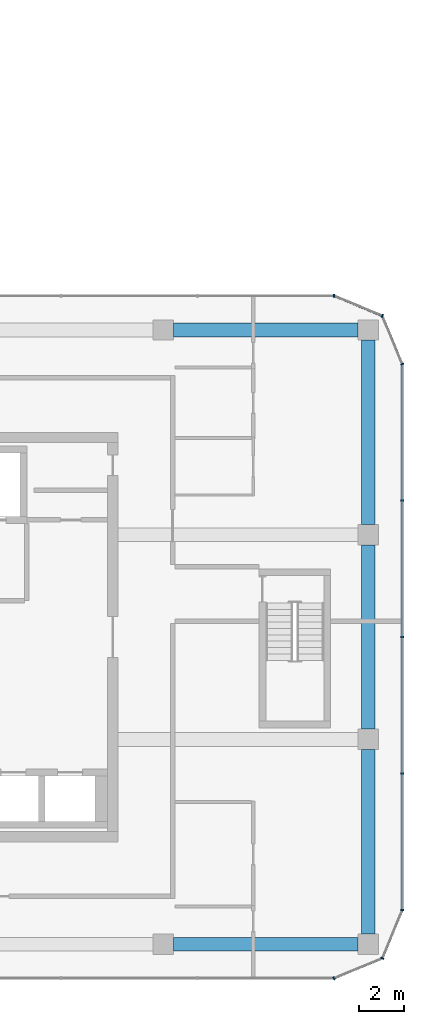
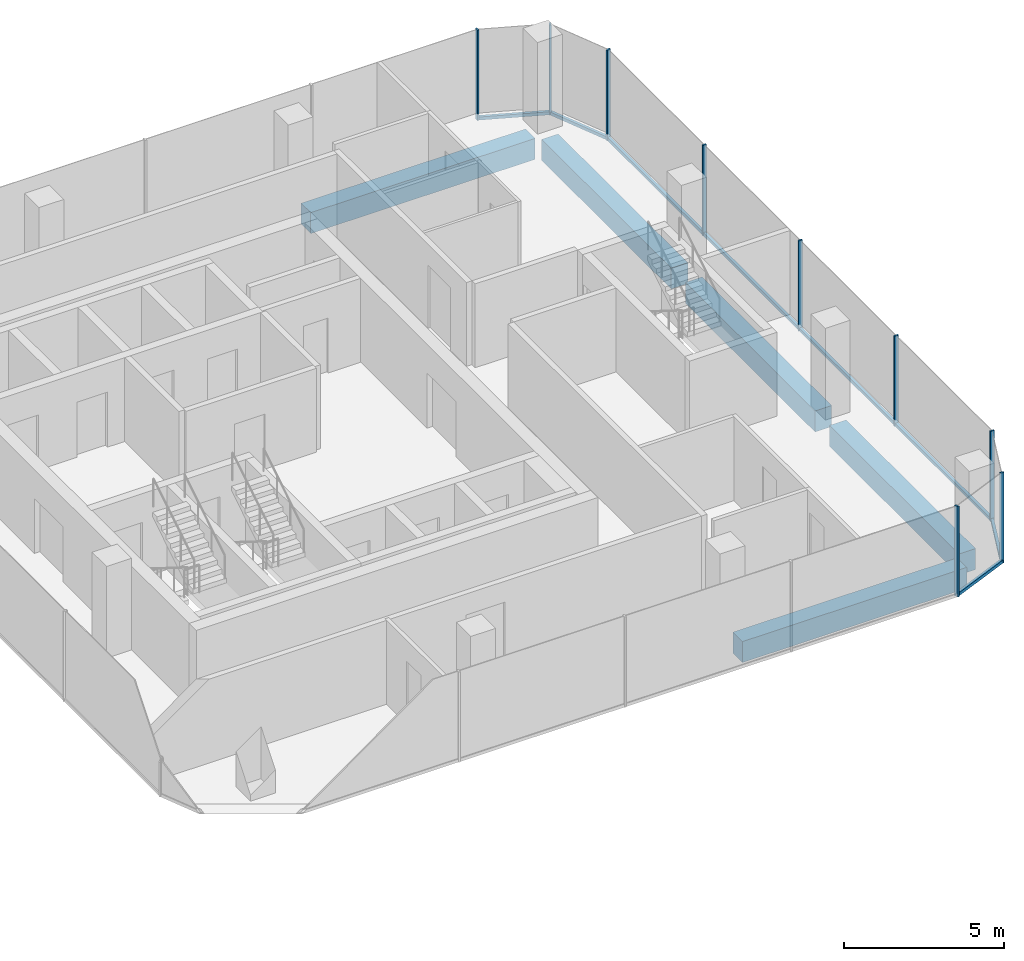
# One storey, part 10 of 22: 14 members, 5 beams, 6 elements without a shape of their own.
"""IFC4 building model written with IfcOpenShell, lengths in metres."""

from ifc_helpers import new_model, si_unit, direction, frame, origin, origin_2d, place, context, subcontext, project, spatial, rectangle, extrude, material, layer, layer_set, material_profile, profile_set, type_object, element, aggregate, save


model = new_model("IFC4")

# Units and contexts
model_context = context("Model", 3, precision=1e-05, world=origin(), true_north=direction((0.0, 1.0)))
body_context = subcontext(model_context, "Body", "Model", "MODEL_VIEW")
ifc_project = project(units=[si_unit("LENGTHUNIT", "METRE"), si_unit("AREAUNIT", "SQUARE_METRE"), si_unit("VOLUMEUNIT", "CUBIC_METRE"), si_unit("PLANEANGLEUNIT", "RADIAN"), si_unit("MASSUNIT", "GRAM", prefix="KILO")], contexts=[model_context])

# Site, building, storey
site_placement = place(None, origin())
site = spatial("IfcSite", under=ifc_project, at=site_placement, CompositionType="ELEMENT")
building_placement = place(site_placement, origin())
building = spatial("IfcBuilding", under=site, at=building_placement, Name="Plateau Cross Towers", CompositionType="ELEMENT")
storey_placement = place(building_placement, frame((0.0, 0.0, 68.800048828125)))
storey = spatial("IfcBuildingStorey", under=building, at=storey_placement, Name="L17", CompositionType="ELEMENT", Elevation=68.800048828125)

# Curtain wall, member
ifc_material_1 = material(Name="Dark low-iron glass", Category="glass")
ifc_layer = layer(ifc_material_1, 0.239990234375)
ifc_layer_set = layer_set([ifc_layer], Name="Dark low-iron glass")
curtain_wall_type = type_object("IfcCurtainWallType", Name="Curtain wall office unitised CW-F", PredefinedType="NOTDEFINED", material=ifc_layer_set)
curtain_wall_1_placement = place(storey_placement, origin())
curtain_wall_1 = element("IfcCurtainWall", 1, at=curtain_wall_1_placement, inside=storey, type_object=curtain_wall_type, Name="ENV/B/L17/B990_-60", PredefinedType="NOTDEFINED")
ifc_material_2 = material(Name="Black anodised aluminium", Category="aluminium")
ifc_material_profile_1 = material_profile(ifc_material_2, rectangle(XDim=0.06005859375, YDim=0.139892578125, at=origin_2d()), Name="MULLION 60x140")
ifc_profile_set_1 = profile_set([ifc_material_profile_1], Name="Black anodised aluminium")
member_type_1 = type_object("IfcMemberType", Name="Mullion 60x140 office unitised", PredefinedType="MULLION", material=ifc_profile_set_1)
member_1_placement = place(storey_placement, frame((99.0, -6.0, -0.25), z_axis=(0.0, 0.0, 1.0), x_axis=(0.923879457699, 0.382683612978, 0.0)))
member_1 = element("IfcMember", 2, at=member_1_placement, type_object=member_type_1, Name="CW-F mullion 1", PredefinedType="MULLION", context=body_context, shape_type="SweptSolid", body=[
    extrude(rectangle(XDim=0.06005859375, YDim=0.139892578125, at=origin_2d()), origin(), (0.0, 0.0, 1.0), 3.449951171875),
])

curtain_wall_2_placement = place(storey_placement, origin())
curtain_wall_2 = element("IfcCurtainWall", 3, at=curtain_wall_2_placement, inside=storey, type_object=curtain_wall_type, Name="ENV/B/L17/B1011_-51", PredefinedType="NOTDEFINED")
member_2_placement = place(storey_placement, frame((101.121337890625, -5.121337890625, -0.25), z_axis=(0.0, 0.0, 1.0), x_axis=(0.382683612978, 0.923879457699, 0.0)))
member_2 = element("IfcMember", 4, at=member_2_placement, type_object=member_type_1, Name="CW-F mullion 1", PredefinedType="MULLION", context=body_context, shape_type="SweptSolid", body=[
    extrude(rectangle(XDim=0.06005859375, YDim=0.139892578125, at=origin_2d()), origin(), (0.0, 0.0, 1.0), 3.449951171875),
])

# Curtain wall, members
curtain_wall_3_placement = place(storey_placement, origin())
curtain_wall_3 = element("IfcCurtainWall", 5, at=curtain_wall_3_placement, inside=storey, type_object=curtain_wall_type, Name="ENV/B/L17/B1020_-30", PredefinedType="NOTDEFINED")
member_3_placement = place(storey_placement, frame((102.0, -3.0, -0.25), z_axis=(0.0, 0.0, 1.0), x_axis=(0.0, 1.0, 0.0)))
member_3 = element("IfcMember", 6, at=member_3_placement, type_object=member_type_1, Name="CW-F mullion 1", PredefinedType="MULLION", context=body_context, shape_type="SweptSolid", body=[
    extrude(rectangle(XDim=0.06005859375, YDim=0.139892578125, at=origin_2d()), origin(), (0.0, 0.0, 1.0), 3.449951171875),
])
member_4_placement = place(storey_placement, frame((102.0, 3.0, -0.25), z_axis=(0.0, 0.0, 1.0), x_axis=(0.0, 1.0, 0.0)))
member_4 = element("IfcMember", 7, at=member_4_placement, type_object=member_type_1, Name="CW-F mullion 2", PredefinedType="MULLION", context=body_context, shape_type="SweptSolid", body=[
    extrude(rectangle(XDim=0.06005859375, YDim=0.139892578125, at=origin_2d()), origin(), (0.0, 0.0, 1.0), 3.449951171875),
])
member_5_placement = place(storey_placement, frame((102.0, 9.0, -0.25), z_axis=(0.0, 0.0, 1.0), x_axis=(0.0, 1.0, 0.0)))
member_5 = element("IfcMember", 8, at=member_5_placement, type_object=member_type_1, Name="CW-F mullion 3", PredefinedType="MULLION", context=body_context, shape_type="SweptSolid", body=[
    extrude(rectangle(XDim=0.06005859375, YDim=0.139892578125, at=origin_2d()), origin(), (0.0, 0.0, 1.0), 3.449951171875),
])
member_6_placement = place(storey_placement, frame((102.0, 15.0, -0.25), z_axis=(0.0, 0.0, 1.0), x_axis=(0.0, 1.0, 0.0)))
member_6 = element("IfcMember", 9, at=member_6_placement, type_object=member_type_1, Name="CW-F mullion 4", PredefinedType="MULLION", context=body_context, shape_type="SweptSolid", body=[
    extrude(rectangle(XDim=0.06005859375, YDim=0.139892578125, at=origin_2d()), origin(), (0.0, 0.0, 1.0), 3.449951171875),
])

# Curtain wall, member
curtain_wall_4_placement = place(storey_placement, origin())
curtain_wall_4 = element("IfcCurtainWall", 10, at=curtain_wall_4_placement, inside=storey, type_object=curtain_wall_type, Name="ENV/B/L17/B1020_210", PredefinedType="NOTDEFINED")
member_7_placement = place(storey_placement, frame((102.0, 21.0, -0.25), z_axis=(0.0, 0.0, 1.0), x_axis=(-0.382683612978, 0.923879457699, 0.0)))
member_7 = element("IfcMember", 11, at=member_7_placement, type_object=member_type_1, Name="CW-F mullion 1", PredefinedType="MULLION", context=body_context, shape_type="SweptSolid", body=[
    extrude(rectangle(XDim=0.06005859375, YDim=0.139892578125, at=origin_2d()), origin(), (0.0, 0.0, 1.0), 3.449951171875),
])

curtain_wall_5_placement = place(storey_placement, origin())
curtain_wall_5 = element("IfcCurtainWall", 12, at=curtain_wall_5_placement, inside=storey, type_object=curtain_wall_type, Name="ENV/B/L17/B1011_231", PredefinedType="NOTDEFINED")
member_8_placement = place(storey_placement, frame((101.121337890625, 23.121337890625, -0.25), z_axis=(0.0, 0.0, 1.0), x_axis=(-0.923879457699, 0.382683612978, 0.0)))
member_8 = element("IfcMember", 13, at=member_8_placement, type_object=member_type_1, Name="CW-F mullion 1", PredefinedType="MULLION", context=body_context, shape_type="SweptSolid", body=[
    extrude(rectangle(XDim=0.06005859375, YDim=0.139892578125, at=origin_2d()), origin(), (0.0, 0.0, 1.0), 3.449951171875),
])

curtain_wall_6_placement = place(storey_placement, origin())
curtain_wall_6 = element("IfcCurtainWall", 14, at=curtain_wall_6_placement, inside=storey, type_object=curtain_wall_type, Name="ENV/B/L17/B990_240", PredefinedType="NOTDEFINED")
member_9_placement = place(storey_placement, frame((99.0, 24.0, -0.25), z_axis=(0.0, 0.0, 1.0), x_axis=(-1.0, 0.0, 0.0)))
member_9 = element("IfcMember", 15, at=member_9_placement, type_object=member_type_1, Name="CW-F mullion 1", PredefinedType="MULLION", context=body_context, shape_type="SweptSolid", body=[
    extrude(rectangle(XDim=0.06005859375, YDim=0.139892578125, at=origin_2d()), origin(), (0.0, 0.0, 1.0), 3.449951171875),
])
aggregate(curtain_wall_6, [member_9])

# Beams
ifc_material_3 = material(Name="Concrete C60/75", Category="concrete")
ifc_material_profile_2 = material_profile(ifc_material_3, rectangle(XDim=0.60009765625, YDim=0.800048828125, at=origin_2d()), Name="RC 600x800")
ifc_profile_set_2 = profile_set([ifc_material_profile_2], Name="Concrete C60/75")
beam_type = type_object("IfcBeamType", Name="Ring beam RC 600x800", PredefinedType="BEAM", material=ifc_profile_set_2)
for number, where, z_axis, x_axis, name in (
    (16, (91.949951171875, -4.5, -0.650146484375), (1.0, 0.0, 0.0), (0.0, 1.0, 0.0), "B-RB02@L17"),
    (17, (100.5, -4.050048828125, -0.650146484375), (0.0, 1.0, 0.0), (-1.0, 0.0, 0.0), "B-RB03@L17"),
    (18, (100.5, 4.949951171875, -0.650146484375), (0.0, 1.0, 0.0), (-1.0, 0.0, 0.0), "B-RB04@L17"),
    (19, (100.5, 13.949951171875, -0.650146484375), (0.0, 1.0, 0.0), (-1.0, 0.0, 0.0), "B-RB05@L17"),
    (20, (100.050048828125, 22.5, -0.650146484375), (-1.0, 0.0, 0.0), (0.0, -1.0, 0.0), "B-RB06@L17"),
):
    element("IfcBeam", number, at=place(storey_placement, frame(where, z_axis=z_axis, x_axis=x_axis)), inside=storey, type_object=beam_type, Name=name, PredefinedType="BEAM", context=body_context, shape_type="SweptSolid", body=[
        extrude(rectangle(XDim=0.60009765625, YDim=0.800048828125, at=origin_2d()), origin(), (0.0, 0.0, 1.0), 8.10009765625),
    ])

# Member
ifc_material_profile_3 = material_profile(ifc_material_2, rectangle(XDim=0.10009765625, YDim=0.1201171875, at=origin_2d()), Name="TRANSOM 100x120")
ifc_profile_set_3 = profile_set([ifc_material_profile_3], Name="Black anodised aluminium")
member_type_2 = type_object("IfcMemberType", Name="Transom 100x120 office unitised", PredefinedType="USERDEFINED", material=ifc_profile_set_3)
member_10_placement = place(storey_placement, frame((99.0, -6.0, -0.18994140625), z_axis=(0.923883353507, 0.382674207535, 0.0), x_axis=(-0.382674207535, 0.923883353507, 0.0)))
member_10 = element("IfcMember", 21, at=member_10_placement, type_object=member_type_2, Name="CW-F transom", ObjectType="TRANSOM", PredefinedType="USERDEFINED", context=body_context, shape_type="SweptSolid", body=[
    extrude(rectangle(XDim=0.10009765625, YDim=0.1201171875, at=origin_2d()), origin(), (0.0, 0.0, 1.0), 2.296142578125),
])

aggregate(curtain_wall_1, [member_1, member_10])

member_11_placement = place(storey_placement, frame((101.121337890625, -5.121337890625, -0.18994140625), z_axis=(0.382674207535, 0.923883353507, 0.0), x_axis=(-0.923883353507, 0.382674207535, 0.0)))
member_11 = element("IfcMember", 22, at=member_11_placement, type_object=member_type_2, Name="CW-F transom", ObjectType="TRANSOM", PredefinedType="USERDEFINED", context=body_context, shape_type="SweptSolid", body=[
    extrude(rectangle(XDim=0.10009765625, YDim=0.1201171875, at=origin_2d()), origin(), (0.0, 0.0, 1.0), 2.296142578125),
])

aggregate(curtain_wall_2, [member_2, member_11])

member_12_placement = place(storey_placement, frame((102.0, -3.0, -0.18994140625), z_axis=(0.0, 1.0, 0.0), x_axis=(-1.0, 0.0, 0.0)))
member_12 = element("IfcMember", 23, at=member_12_placement, type_object=member_type_2, Name="CW-F transom", ObjectType="TRANSOM", PredefinedType="USERDEFINED", context=body_context, shape_type="SweptSolid", body=[
    extrude(rectangle(XDim=0.10009765625, YDim=0.1201171875, at=origin_2d()), origin(), (0.0, 0.0, 1.0), 24.0),
])

aggregate(curtain_wall_3, [member_3, member_4, member_5, member_6, member_12])

member_13_placement = place(storey_placement, frame((102.0, 21.0, -0.18994140625), z_axis=(-0.382674207535, 0.923883353507, 0.0), x_axis=(-0.923883353507, -0.382674207535, 0.0)))
member_13 = element("IfcMember", 24, at=member_13_placement, type_object=member_type_2, Name="CW-F transom", ObjectType="TRANSOM", PredefinedType="USERDEFINED", context=body_context, shape_type="SweptSolid", body=[
    extrude(rectangle(XDim=0.10009765625, YDim=0.1201171875, at=origin_2d()), origin(), (0.0, 0.0, 1.0), 2.296142578125),
])

aggregate(curtain_wall_4, [member_7, member_13])

member_14_placement = place(storey_placement, frame((101.121337890625, 23.121337890625, -0.18994140625), z_axis=(-0.923883353507, 0.382674207535, 0.0), x_axis=(-0.382674207535, -0.923883353507, 0.0)))
member_14 = element("IfcMember", 25, at=member_14_placement, type_object=member_type_2, Name="CW-F transom", ObjectType="TRANSOM", PredefinedType="USERDEFINED", context=body_context, shape_type="SweptSolid", body=[
    extrude(rectangle(XDim=0.10009765625, YDim=0.1201171875, at=origin_2d()), origin(), (0.0, 0.0, 1.0), 2.296142578125),
])

aggregate(curtain_wall_5, [member_8, member_14])

save(model, "model.ifc")
